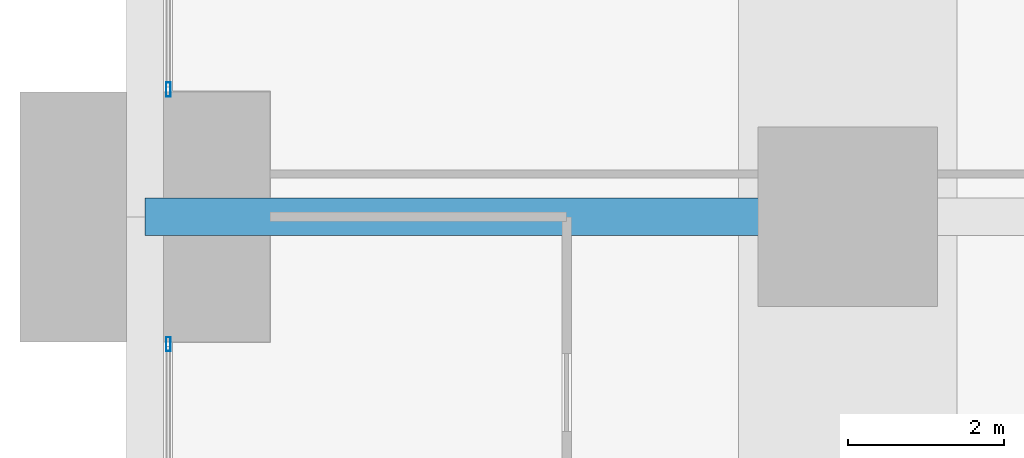
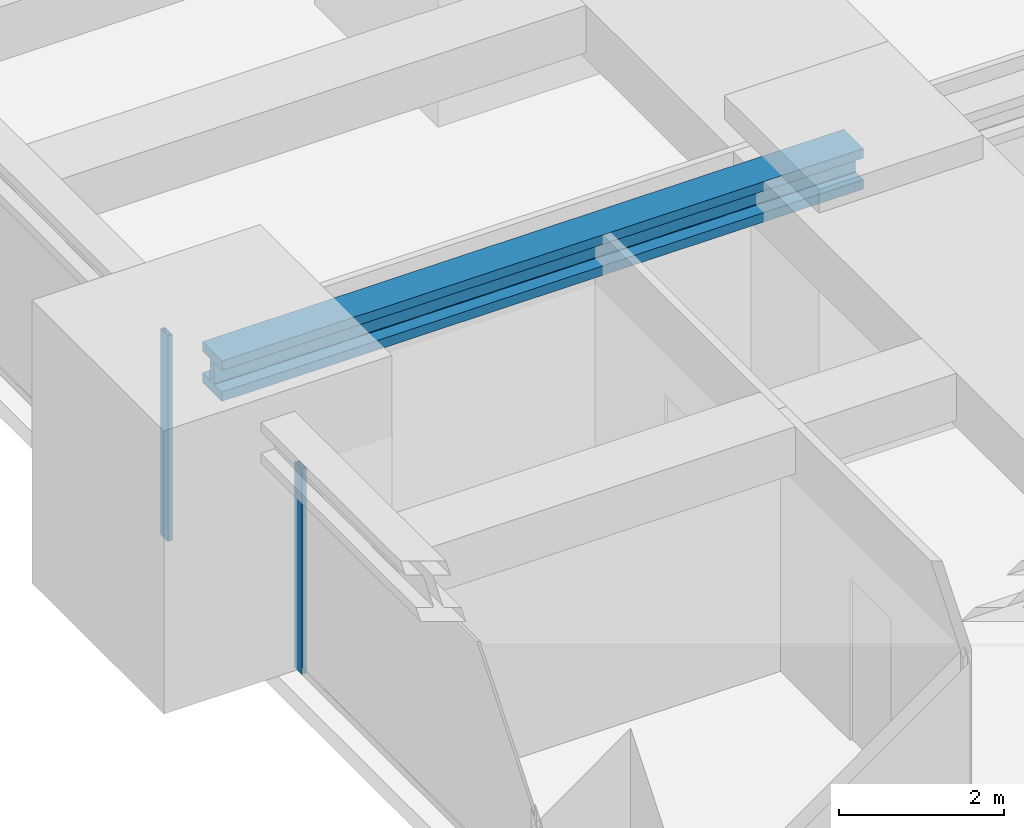
# One storey, part 22 of 42: 2 members, 1 beam, 2 elements without a shape of their own.
"""IFC4 building model written with IfcOpenShell, lengths in metres."""

from ifc_helpers import new_model, si_unit, direction, frame, origin, origin_2d, place, context, subcontext, project, spatial, hollow_rectangle, i_section, extrude, material, material_profile, profile_set, type_object, element, aggregate, save


model = new_model("IFC4")

# Units and contexts
model_context = context("Model", 3, precision=1e-05, world=origin(), true_north=direction((0.0, 1.0)))
body_context = subcontext(model_context, "Body", "Model", "MODEL_VIEW")
ifc_project = project(units=[si_unit("LENGTHUNIT", "METRE"), si_unit("AREAUNIT", "SQUARE_METRE"), si_unit("VOLUMEUNIT", "CUBIC_METRE"), si_unit("PLANEANGLEUNIT", "RADIAN"), si_unit("MASSUNIT", "GRAM", prefix="KILO")], contexts=[model_context])

# Site, building, storey
site_placement = place(None, origin())
site = spatial("IfcSite", under=ifc_project, at=site_placement, CompositionType="ELEMENT")
building_placement = place(site_placement, origin())
building = spatial("IfcBuilding", under=site, at=building_placement, Name="Zorevar Civic Tower", CompositionType="ELEMENT")
storey_placement = place(building_placement, frame((0.0, 0.0, 75.800048828125)))
storey = spatial("IfcBuildingStorey", under=building, at=storey_placement, Name="L18", CompositionType="ELEMENT", Elevation=75.800048828125)

# Curtain wall, member
ifc_material_1 = material(Name="Dark grey solar-control glass in black aluminium frame", Category="aluminium")
curtain_wall_type = type_object("IfcCurtainWallType", Name="Curtain wall CW2 low zone", PredefinedType="NOTDEFINED", material=ifc_material_1)
curtain_wall_1_placement = place(storey_placement, origin())
curtain_wall_1 = element("IfcCurtainWall", 1, at=curtain_wall_1_placement, inside=storey, type_object=curtain_wall_type, Name="CW2 L18", PredefinedType="NOTDEFINED")
ifc_material_2 = material(Name="Aluminium, black anodised", Category="aluminium")
ifc_material_profile_1 = material_profile(ifc_material_2, hollow_rectangle(XDim=0.06005859375, YDim=0.179931640625, WallThickness=0.00390625, at=origin_2d()), Name="AL 180x60x4")
ifc_profile_set_1 = profile_set([ifc_material_profile_1], Name="Aluminium, black anodised")
member_type = type_object("IfcMemberType", Name="CW2 mullion AL 180x60x4", PredefinedType="MULLION", material=ifc_profile_set_1)
member_1_placement = place(storey_placement, frame((0.300048828125, 34.3701171875, 0.0), z_axis=(0.0, 0.0, 1.0), x_axis=(-1.0, 0.0, 0.0)))
member_1 = element("IfcMember", 2, at=member_1_placement, type_object=member_type, Name="CW2 mullion 2", PredefinedType="MULLION", context=body_context, shape_type="SweptSolid", body=[
    extrude(hollow_rectangle(XDim=0.06005859375, YDim=0.179931640625, WallThickness=0.00390625, at=origin_2d()), origin(), (0.0, 0.0, 1.0), 3.050048828125),
])
aggregate(curtain_wall_1, [member_1])

curtain_wall_2_placement = place(storey_placement, origin())
curtain_wall_2 = element("IfcCurtainWall", 3, at=curtain_wall_2_placement, inside=storey, type_object=curtain_wall_type, Name="CW2 L18", PredefinedType="NOTDEFINED")
member_2_placement = place(storey_placement, frame((0.300048828125, 37.6298828125, 0.0), z_axis=(0.0, 0.0, 1.0), x_axis=(-1.0, 0.0, 0.0)))
member_2 = element("IfcMember", 4, at=member_2_placement, type_object=member_type, Name="CW2 mullion 1", PredefinedType="MULLION", context=body_context, shape_type="SweptSolid", body=[
    extrude(hollow_rectangle(XDim=0.06005859375, YDim=0.179931640625, WallThickness=0.00390625, at=origin_2d()), origin(), (0.0, 0.0, 1.0), 3.050048828125),
])
aggregate(curtain_wall_2, [member_2])

# Beam
ifc_material_3 = material(Name="Steel S460M (HISTAR 460)", Category="steel")
ifc_material_profile_2 = material_profile(ifc_material_3, i_section(OverallWidth=0.47607421875, OverallDepth=0.60009765625, WebThickness=0.10009765625, FlangeThickness=0.139892578125, FilletRadius=0.014892578125, at=origin_2d()), Name="HD 400x1299")
ifc_profile_set_2 = profile_set([ifc_material_profile_2], Name="Steel S460M (HISTAR 460)")
beam_type = type_object("IfcBeamType", Name="Outrigger chord HD 400x1299", PredefinedType="BEAM", material=ifc_profile_set_2)
beam_placement = place(storey_placement, frame((0.0, 36.0, 3.550048828125), z_axis=(1.0, 0.0, 0.0), x_axis=(0.0, 1.0, 0.0)))
element("IfcBeam", 5, at=beam_placement, inside=storey, type_object=beam_type, Name="Outrigger chord L19", PredefinedType="BEAM", context=body_context, shape_type="SweptSolid", body=[
    extrude(i_section(OverallWidth=0.47607421875, OverallDepth=0.60009765625, WebThickness=0.10009765625, FlangeThickness=0.139892578125, FilletRadius=0.014892578125, at=origin_2d()), origin(), (0.0, 0.0, 1.0), 9.0),
])

save(model, "model.ifc")
